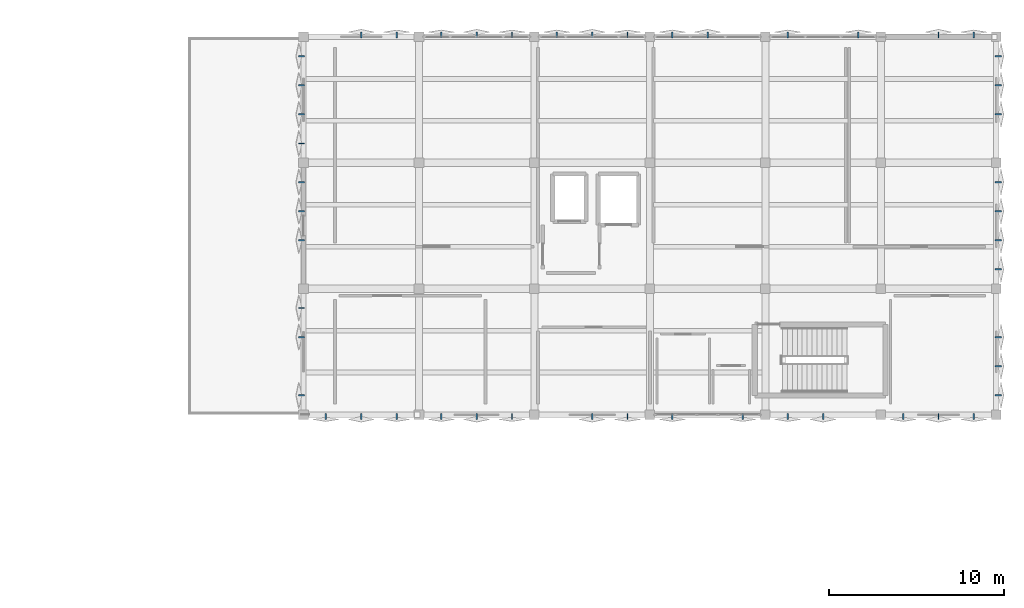
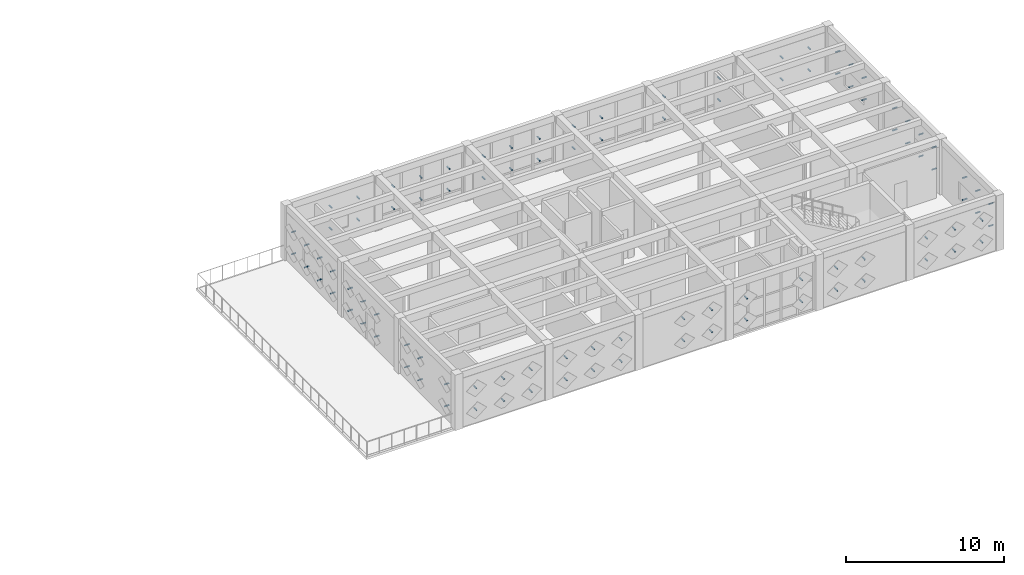
# One storey, part 35 of 39: 98 discrete accessories.
"""IFC4 building model written with IfcOpenShell, lengths in metres."""

from ifc_helpers import new_model, si_unit, direction, frame, origin, origin_2d, place, context, subcontext, project, spatial, hollow_rectangle, extrude, material, type_object, element, save


model = new_model("IFC4")

# Units and contexts
model_context = context("Model", 3, precision=1e-05, world=origin(), true_north=direction((0.0, 1.0)))
body_context = subcontext(model_context, "Body", "Model", "MODEL_VIEW")
ifc_project = project(units=[si_unit("LENGTHUNIT", "METRE"), si_unit("AREAUNIT", "SQUARE_METRE"), si_unit("VOLUMEUNIT", "CUBIC_METRE"), si_unit("PLANEANGLEUNIT", "RADIAN"), si_unit("MASSUNIT", "GRAM", prefix="KILO")], contexts=[model_context])

# Site, building, storey
site_placement = place(None, origin())
site = spatial("IfcSite", under=ifc_project, at=site_placement, CompositionType="ELEMENT")
building_placement = place(site_placement, origin())
building = spatial("IfcBuilding", under=site, at=building_placement, Name="Kharisveld Research Institute", CompositionType="ELEMENT")
storey_placement = place(building_placement, frame((0.0, 0.0, 23.10009765625)))
storey = spatial("IfcBuildingStorey", under=building, at=storey_placement, Name="L05", CompositionType="ELEMENT", Elevation=23.10009765625)

# Discrete accessories
ifc_material = material(Name="Steel S355JR", Category="steel")
discrete_accessory_type = type_object("IfcDiscreteAccessoryType", Name="BKT_ST_260", PredefinedType="BRACKET")
for number, where, z_axis, x_axis, name in (
    (1, (121.260009765625, 40.302490234375, 1.0498046875), (-1.0, 0.0, 0.0), (0.0, -1.0, 0.0), "BKT-SHD:V2:L05:W0:S0C0"),
    (2, (121.260009765625, 40.302490234375, 2.75), (-1.0, 0.0, 0.0), (0.0, -1.0, 0.0), "BKT-SHD:V2:L05:W0:S0C1"),
    (3, (121.260009765625, 43.632568359375, 1.0498046875), (-1.0, 0.0, 0.0), (0.0, -1.0, 0.0), "BKT-SHD:V2:L05:W0:S2C0"),
    (4, (121.260009765625, 43.632568359375, 2.75), (-1.0, 0.0, 0.0), (0.0, -1.0, 0.0), "BKT-SHD:V2:L05:W0:S2C1"),
    (5, (121.260009765625, 45.297607421875, 1.0498046875), (-1.0, 0.0, 0.0), (0.0, -1.0, 0.0), "BKT-SHD:V2:L05:W0:S3C0"),
    (6, (121.260009765625, 45.297607421875, 2.75), (-1.0, 0.0, 0.0), (0.0, -1.0, 0.0), "BKT-SHD:V2:L05:W0:S3C1"),
    (7, (121.260009765625, 49.16748046875, 1.0498046875), (-1.0, 0.0, 0.0), (0.0, -1.0, 0.0), "BKT-SHD:V2:L05:W1:S1C0"),
    (8, (121.260009765625, 49.16748046875, 2.75), (-1.0, 0.0, 0.0), (0.0, -1.0, 0.0), "BKT-SHD:V2:L05:W1:S1C1"),
    (9, (121.260009765625, 50.83251953125, 1.0498046875), (-1.0, 0.0, 0.0), (0.0, -1.0, 0.0), "BKT-SHD:V2:L05:W1:S2C0"),
    (10, (121.260009765625, 50.83251953125, 2.75), (-1.0, 0.0, 0.0), (0.0, -1.0, 0.0), "BKT-SHD:V2:L05:W1:S2C1"),
    (11, (121.260009765625, 52.49755859375, 1.0498046875), (-1.0, 0.0, 0.0), (0.0, -1.0, 0.0), "BKT-SHD:V2:L05:W1:S3C0"),
    (12, (121.260009765625, 52.49755859375, 2.75), (-1.0, 0.0, 0.0), (0.0, -1.0, 0.0), "BKT-SHD:V2:L05:W1:S3C1"),
    (13, (121.260009765625, 54.702392578125, 1.0498046875), (-1.0, 0.0, 0.0), (0.0, -1.0, 0.0), "BKT-SHD:V2:L05:W2:S0C0"),
    (14, (121.260009765625, 54.702392578125, 2.75), (-1.0, 0.0, 0.0), (0.0, -1.0, 0.0), "BKT-SHD:V2:L05:W2:S0C1"),
    (15, (121.260009765625, 56.367431640625, 1.0498046875), (-1.0, 0.0, 0.0), (0.0, -1.0, 0.0), "BKT-SHD:V2:L05:W2:S1C0"),
    (16, (121.260009765625, 56.367431640625, 2.75), (-1.0, 0.0, 0.0), (0.0, -1.0, 0.0), "BKT-SHD:V2:L05:W2:S1C1"),
    (17, (121.260009765625, 58.032470703125, 1.0498046875), (-1.0, 0.0, 0.0), (0.0, -1.0, 0.0), "BKT-SHD:V2:L05:W2:S2C0"),
    (18, (121.260009765625, 58.032470703125, 2.75), (-1.0, 0.0, 0.0), (0.0, -1.0, 0.0), "BKT-SHD:V2:L05:W2:S2C1"),
    (19, (121.260009765625, 59.697509765625, 1.0498046875), (-1.0, 0.0, 0.0), (0.0, -1.0, 0.0), "BKT-SHD:V2:L05:W2:S3C0"),
    (20, (121.260009765625, 59.697509765625, 2.75), (-1.0, 0.0, 0.0), (0.0, -1.0, 0.0), "BKT-SHD:V2:L05:W2:S3C1"),
    (21, (124.5, 60.739990234375, 1.0498046875), (0.0, 1.0, 0.0), (-1.0, 0.0, 0.0), "BKT-SHD:V2:L05:N1:S1C0"),
    (22, (124.5, 60.739990234375, 2.75), (0.0, 1.0, 0.0), (-1.0, 0.0, 0.0), "BKT-SHD:V2:L05:N1:S1C1"),
    (23, (126.52001953125, 60.739990234375, 1.0498046875), (0.0, 1.0, 0.0), (-1.0, 0.0, 0.0), "BKT-SHD:V2:L05:N1:S2C0"),
    (24, (126.52001953125, 60.739990234375, 2.75), (0.0, 1.0, 0.0), (-1.0, 0.0, 0.0), "BKT-SHD:V2:L05:N1:S2C1"),
    (25, (129.080078125, 60.739990234375, 1.0498046875), (0.0, 1.0, 0.0), (-1.0, 0.0, 0.0), "BKT-SHD:V2:L05:N2:S0C0"),
    (26, (129.080078125, 60.739990234375, 2.75), (0.0, 1.0, 0.0), (-1.0, 0.0, 0.0), "BKT-SHD:V2:L05:N2:S0C1"),
    (27, (131.10009765625, 60.739990234375, 1.0498046875), (0.0, 1.0, 0.0), (-1.0, 0.0, 0.0), "BKT-SHD:V2:L05:N2:S1C0"),
    (28, (131.10009765625, 60.739990234375, 2.75), (0.0, 1.0, 0.0), (-1.0, 0.0, 0.0), "BKT-SHD:V2:L05:N2:S1C1"),
    (29, (133.1201171875, 60.739990234375, 1.0498046875), (0.0, 1.0, 0.0), (-1.0, 0.0, 0.0), "BKT-SHD:V2:L05:N2:S2C0"),
    (30, (133.1201171875, 60.739990234375, 2.75), (0.0, 1.0, 0.0), (-1.0, 0.0, 0.0), "BKT-SHD:V2:L05:N2:S2C1"),
    (31, (135.679931640625, 60.739990234375, 1.0498046875), (0.0, 1.0, 0.0), (-1.0, 0.0, 0.0), "BKT-SHD:V2:L05:N3:S0C0"),
    (32, (135.679931640625, 60.739990234375, 2.75), (0.0, 1.0, 0.0), (-1.0, 0.0, 0.0), "BKT-SHD:V2:L05:N3:S0C1"),
    (33, (137.699951171875, 60.739990234375, 1.0498046875), (0.0, 1.0, 0.0), (-1.0, 0.0, 0.0), "BKT-SHD:V2:L05:N3:S1C0"),
    (34, (137.699951171875, 60.739990234375, 2.75), (0.0, 1.0, 0.0), (-1.0, 0.0, 0.0), "BKT-SHD:V2:L05:N3:S1C1"),
    (35, (139.719970703125, 60.739990234375, 1.0498046875), (0.0, 1.0, 0.0), (-1.0, 0.0, 0.0), "BKT-SHD:V2:L05:N3:S2C0"),
    (36, (139.719970703125, 60.739990234375, 2.75), (0.0, 1.0, 0.0), (-1.0, 0.0, 0.0), "BKT-SHD:V2:L05:N3:S2C1"),
    (37, (142.280029296875, 60.739990234375, 1.0498046875), (0.0, 1.0, 0.0), (-1.0, 0.0, 0.0), "BKT-SHD:V2:L05:N4:S0C0"),
    (38, (142.280029296875, 60.739990234375, 2.75), (0.0, 1.0, 0.0), (-1.0, 0.0, 0.0), "BKT-SHD:V2:L05:N4:S0C1"),
    (39, (144.300048828125, 60.739990234375, 1.0498046875), (0.0, 1.0, 0.0), (-1.0, 0.0, 0.0), "BKT-SHD:V2:L05:N4:S1C0"),
    (40, (144.300048828125, 60.739990234375, 2.75), (0.0, 1.0, 0.0), (-1.0, 0.0, 0.0), "BKT-SHD:V2:L05:N4:S1C1"),
    (41, (148.8798828125, 60.739990234375, 1.0498046875), (0.0, 1.0, 0.0), (-1.0, 0.0, 0.0), "BKT-SHD:V2:L05:N5:S0C0"),
    (42, (148.8798828125, 60.739990234375, 2.75), (0.0, 1.0, 0.0), (-1.0, 0.0, 0.0), "BKT-SHD:V2:L05:N5:S0C1"),
    (43, (152.919921875, 60.739990234375, 1.0498046875), (0.0, 1.0, 0.0), (-1.0, 0.0, 0.0), "BKT-SHD:V2:L05:N5:S2C0"),
    (44, (152.919921875, 60.739990234375, 2.75), (0.0, 1.0, 0.0), (-1.0, 0.0, 0.0), "BKT-SHD:V2:L05:N5:S2C1"),
    (45, (157.5, 60.739990234375, 1.0498046875), (0.0, 1.0, 0.0), (-1.0, 0.0, 0.0), "BKT-SHD:V2:L05:N6:S1C0"),
    (46, (157.5, 60.739990234375, 2.75), (0.0, 1.0, 0.0), (-1.0, 0.0, 0.0), "BKT-SHD:V2:L05:N6:S1C1"),
    (47, (159.52001953125, 60.739990234375, 1.0498046875), (0.0, 1.0, 0.0), (-1.0, 0.0, 0.0), "BKT-SHD:V2:L05:N6:S2C0"),
    (48, (159.52001953125, 60.739990234375, 2.75), (0.0, 1.0, 0.0), (-1.0, 0.0, 0.0), "BKT-SHD:V2:L05:N6:S2C1"),
    (49, (160.739990234375, 59.697509765625, 1.0498046875), (1.0, 0.0, 0.0), (0.0, 1.0, 0.0), "BKT-SHD:V2:L05:E3:S0C0"),
    (50, (160.739990234375, 59.697509765625, 2.75), (1.0, 0.0, 0.0), (0.0, 1.0, 0.0), "BKT-SHD:V2:L05:E3:S0C1"),
    (51, (160.739990234375, 58.032470703125, 1.0498046875), (1.0, 0.0, 0.0), (0.0, 1.0, 0.0), "BKT-SHD:V2:L05:E3:S1C0"),
    (52, (160.739990234375, 58.032470703125, 2.75), (1.0, 0.0, 0.0), (0.0, 1.0, 0.0), "BKT-SHD:V2:L05:E3:S1C1"),
    (53, (160.739990234375, 56.367431640625, 1.0498046875), (1.0, 0.0, 0.0), (0.0, 1.0, 0.0), "BKT-SHD:V2:L05:E3:S2C0"),
    (54, (160.739990234375, 56.367431640625, 2.75), (1.0, 0.0, 0.0), (0.0, 1.0, 0.0), "BKT-SHD:V2:L05:E3:S2C1"),
    (55, (160.739990234375, 52.49755859375, 1.0498046875), (1.0, 0.0, 0.0), (0.0, 1.0, 0.0), "BKT-SHD:V2:L05:E2:S0C0"),
    (56, (160.739990234375, 52.49755859375, 2.75), (1.0, 0.0, 0.0), (0.0, 1.0, 0.0), "BKT-SHD:V2:L05:E2:S0C1"),
    (57, (160.739990234375, 50.83251953125, 1.0498046875), (1.0, 0.0, 0.0), (0.0, 1.0, 0.0), "BKT-SHD:V2:L05:E2:S1C0"),
    (58, (160.739990234375, 50.83251953125, 2.75), (1.0, 0.0, 0.0), (0.0, 1.0, 0.0), "BKT-SHD:V2:L05:E2:S1C1"),
    (59, (160.739990234375, 49.16748046875, 1.0498046875), (1.0, 0.0, 0.0), (0.0, 1.0, 0.0), "BKT-SHD:V2:L05:E2:S2C0"),
    (60, (160.739990234375, 49.16748046875, 2.75), (1.0, 0.0, 0.0), (0.0, 1.0, 0.0), "BKT-SHD:V2:L05:E2:S2C1"),
    (61, (160.739990234375, 47.50244140625, 1.0498046875), (1.0, 0.0, 0.0), (0.0, 1.0, 0.0), "BKT-SHD:V2:L05:E2:S3C0"),
    (62, (160.739990234375, 47.50244140625, 2.75), (1.0, 0.0, 0.0), (0.0, 1.0, 0.0), "BKT-SHD:V2:L05:E2:S3C1"),
    (63, (160.739990234375, 43.632568359375, 1.0498046875), (1.0, 0.0, 0.0), (0.0, 1.0, 0.0), "BKT-SHD:V2:L05:E1:S1C0"),
    (64, (160.739990234375, 43.632568359375, 2.75), (1.0, 0.0, 0.0), (0.0, 1.0, 0.0), "BKT-SHD:V2:L05:E1:S1C1"),
    (65, (160.739990234375, 41.967529296875, 1.0498046875), (1.0, 0.0, 0.0), (0.0, 1.0, 0.0), "BKT-SHD:V2:L05:E1:S2C0"),
    (66, (160.739990234375, 41.967529296875, 2.75), (1.0, 0.0, 0.0), (0.0, 1.0, 0.0), "BKT-SHD:V2:L05:E1:S2C1"),
    (67, (160.739990234375, 40.302490234375, 1.0498046875), (1.0, 0.0, 0.0), (0.0, 1.0, 0.0), "BKT-SHD:V2:L05:E1:S3C0"),
    (68, (160.739990234375, 40.302490234375, 2.75), (1.0, 0.0, 0.0), (0.0, 1.0, 0.0), "BKT-SHD:V2:L05:E1:S3C1"),
    (69, (159.52001953125, 39.260009765625, 1.0498046875), (0.0, -1.0, 0.0), (1.0, 0.0, 0.0), "BKT-SHD:V2:L05:S7:S0C0"),
    (70, (159.52001953125, 39.260009765625, 2.75), (0.0, -1.0, 0.0), (1.0, 0.0, 0.0), "BKT-SHD:V2:L05:S7:S0C1"),
    (71, (157.5, 39.260009765625, 1.0498046875), (0.0, -1.0, 0.0), (1.0, 0.0, 0.0), "BKT-SHD:V2:L05:S7:S1C0"),
    (72, (157.5, 39.260009765625, 2.75), (0.0, -1.0, 0.0), (1.0, 0.0, 0.0), "BKT-SHD:V2:L05:S7:S1C1"),
    (73, (155.47998046875, 39.260009765625, 1.0498046875), (0.0, -1.0, 0.0), (1.0, 0.0, 0.0), "BKT-SHD:V2:L05:S7:S2C0"),
    (74, (155.47998046875, 39.260009765625, 2.75), (0.0, -1.0, 0.0), (1.0, 0.0, 0.0), "BKT-SHD:V2:L05:S7:S2C1"),
    (75, (150.89990234375, 39.260009765625, 1.0498046875), (0.0, -1.0, 0.0), (1.0, 0.0, 0.0), "BKT-SHD:V2:L05:S6:S1C0"),
    (76, (150.89990234375, 39.260009765625, 2.75), (0.0, -1.0, 0.0), (1.0, 0.0, 0.0), "BKT-SHD:V2:L05:S6:S1C1"),
    (77, (148.8798828125, 39.260009765625, 1.0498046875), (0.0, -1.0, 0.0), (1.0, 0.0, 0.0), "BKT-SHD:V2:L05:S6:S2C0"),
    (78, (148.8798828125, 39.260009765625, 2.75), (0.0, -1.0, 0.0), (1.0, 0.0, 0.0), "BKT-SHD:V2:L05:S6:S2C1"),
    (79, (146.320068359375, 39.260009765625, 1.0498046875), (0.0, -1.0, 0.0), (1.0, 0.0, 0.0), "BKT-SHD:V2:L05:S5:S0C0"),
    (80, (146.320068359375, 39.260009765625, 2.75), (0.0, -1.0, 0.0), (1.0, 0.0, 0.0), "BKT-SHD:V2:L05:S5:S0C1"),
    (81, (142.280029296875, 39.260009765625, 1.0498046875), (0.0, -1.0, 0.0), (1.0, 0.0, 0.0), "BKT-SHD:V2:L05:S5:S2C0"),
    (82, (142.280029296875, 39.260009765625, 2.75), (0.0, -1.0, 0.0), (1.0, 0.0, 0.0), "BKT-SHD:V2:L05:S5:S2C1"),
    (83, (139.719970703125, 39.260009765625, 1.0498046875), (0.0, -1.0, 0.0), (1.0, 0.0, 0.0), "BKT-SHD:V2:L05:S4:S0C0"),
    (84, (139.719970703125, 39.260009765625, 2.75), (0.0, -1.0, 0.0), (1.0, 0.0, 0.0), "BKT-SHD:V2:L05:S4:S0C1"),
    (85, (137.699951171875, 39.260009765625, 1.0498046875), (0.0, -1.0, 0.0), (1.0, 0.0, 0.0), "BKT-SHD:V2:L05:S4:S1C0"),
    (86, (137.699951171875, 39.260009765625, 2.75), (0.0, -1.0, 0.0), (1.0, 0.0, 0.0), "BKT-SHD:V2:L05:S4:S1C1"),
    (87, (133.1201171875, 39.260009765625, 1.0498046875), (0.0, -1.0, 0.0), (1.0, 0.0, 0.0), "BKT-SHD:V2:L05:S3:S0C0"),
    (88, (133.1201171875, 39.260009765625, 2.75), (0.0, -1.0, 0.0), (1.0, 0.0, 0.0), "BKT-SHD:V2:L05:S3:S0C1"),
    (89, (131.10009765625, 39.260009765625, 1.0498046875), (0.0, -1.0, 0.0), (1.0, 0.0, 0.0), "BKT-SHD:V2:L05:S3:S1C0"),
    (90, (131.10009765625, 39.260009765625, 2.75), (0.0, -1.0, 0.0), (1.0, 0.0, 0.0), "BKT-SHD:V2:L05:S3:S1C1"),
    (91, (129.080078125, 39.260009765625, 1.0498046875), (0.0, -1.0, 0.0), (1.0, 0.0, 0.0), "BKT-SHD:V2:L05:S3:S2C0"),
    (92, (129.080078125, 39.260009765625, 2.75), (0.0, -1.0, 0.0), (1.0, 0.0, 0.0), "BKT-SHD:V2:L05:S3:S2C1"),
    (93, (126.52001953125, 39.260009765625, 1.0498046875), (0.0, -1.0, 0.0), (1.0, 0.0, 0.0), "BKT-SHD:V2:L05:S2:S0C0"),
    (94, (126.52001953125, 39.260009765625, 2.75), (0.0, -1.0, 0.0), (1.0, 0.0, 0.0), "BKT-SHD:V2:L05:S2:S0C1"),
    (95, (124.5, 39.260009765625, 1.0498046875), (0.0, -1.0, 0.0), (1.0, 0.0, 0.0), "BKT-SHD:V2:L05:S2:S1C0"),
    (96, (124.5, 39.260009765625, 2.75), (0.0, -1.0, 0.0), (1.0, 0.0, 0.0), "BKT-SHD:V2:L05:S2:S1C1"),
    (97, (122.47998046875, 39.260009765625, 1.0498046875), (0.0, -1.0, 0.0), (1.0, 0.0, 0.0), "BKT-SHD:V2:L05:S2:S2C0"),
    (98, (122.47998046875, 39.260009765625, 2.75), (0.0, -1.0, 0.0), (1.0, 0.0, 0.0), "BKT-SHD:V2:L05:S2:S2C1"),
):
    element("IfcDiscreteAccessory", number, at=place(storey_placement, frame(where, z_axis=z_axis, x_axis=x_axis)), inside=storey, type_object=discrete_accessory_type, material=ifc_material, Name=name, ObjectType="BRACKET", PredefinedType="BRACKET", context=body_context, shape_type="SweptSolid", body=[
        extrude(hollow_rectangle(XDim=0.080078125, YDim=0.080078125, WallThickness=0.0048828125, at=origin_2d()), origin(), (0.0, 0.0, 1.0), 0.35009765625),
    ])

save(model, "model.ifc")
